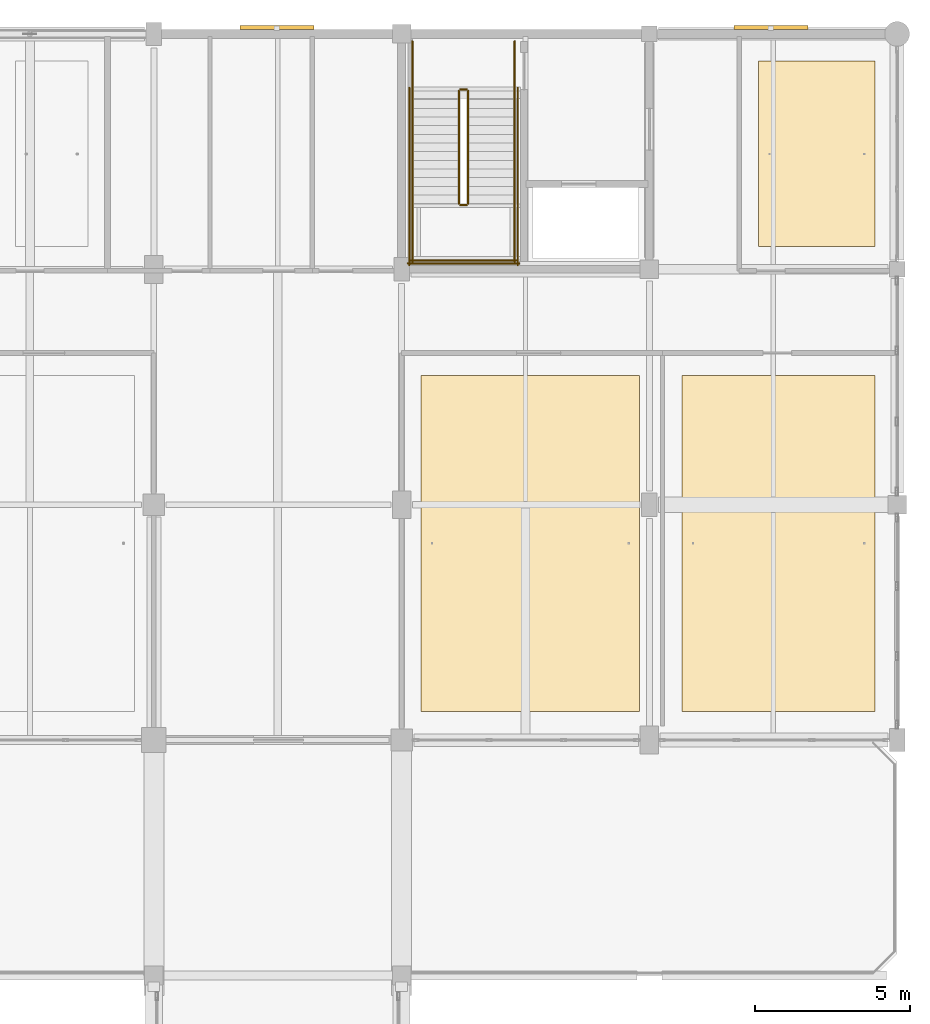
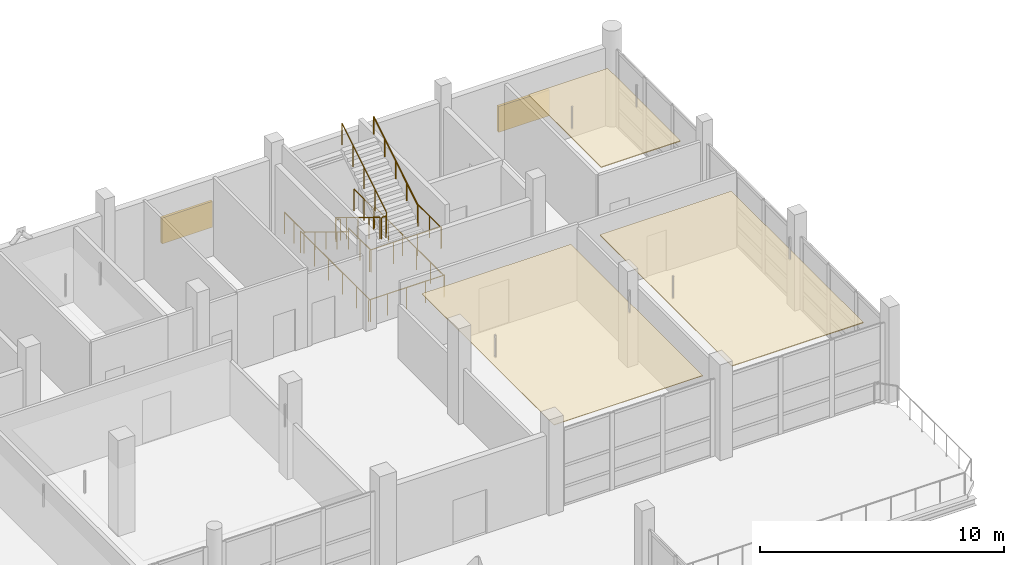
# One storey, part 141 of 141: 14 railings, 3 coverings, 2 shading devices.
"""IFC4 building model written with IfcOpenShell, lengths in metres."""

from ifc_helpers import new_model, si_unit, direction, frame, origin, origin_2d, place, context, subcontext, project, spatial, polyline, rectangle, circle, outline, extrude, material, layer, layer_set, type_object, element, save


model = new_model("IFC4")

# Units and contexts
model_context = context("Model", 3, precision=1e-05, world=origin(), true_north=direction((0.0, 1.0)))
body_context = subcontext(model_context, "Body", "Model", "MODEL_VIEW")
ifc_project = project(units=[si_unit("LENGTHUNIT", "METRE"), si_unit("AREAUNIT", "SQUARE_METRE"), si_unit("VOLUMEUNIT", "CUBIC_METRE"), si_unit("PLANEANGLEUNIT", "RADIAN"), si_unit("MASSUNIT", "GRAM", prefix="KILO")], contexts=[model_context])

# Site, building, storey
site_placement = place(None, origin())
site = spatial("IfcSite", under=ifc_project, at=site_placement, CompositionType="ELEMENT")
building_placement = place(site_placement, origin())
building = spatial("IfcBuilding", under=site, at=building_placement, Name="Khelvaren Railside Concert Hall", CompositionType="ELEMENT")
storey_placement = place(building_placement, frame((0.0, 0.0, 10.199951171875)))
storey = spatial("IfcBuildingStorey", under=building, at=storey_placement, Name="L02", CompositionType="ELEMENT", Elevation=10.199951171875)

# Coverings
ifc_material_1 = material(Name="Mineral-wool acoustic baffle ceiling", Category="gypsum")
ifc_layer_1 = layer(ifc_material_1, 0.0400390625)
ifc_layer_set_1 = layer_set([ifc_layer_1], Name="Mineral-wool acoustic baffle ceiling")
covering_type_1 = type_object("IfcCoveringType", Name="CLG20", PredefinedType="CEILING", material=ifc_layer_set_1)
covering_1_placement = place(storey_placement, frame((0.0, 0.0, 3.41015625)))
element("IfcCovering", 1, at=covering_1_placement, inside=storey, type_object=covering_type_1, Name="Suspended Acoustic Ceiling Musician Physiotherapy and Rest Room", PredefinedType="CEILING", context=body_context, shape_type="SweptSolid", body=[
    extrude(outline(polyline([(177.05810546875, 92.1298828125), (183.2900390625, 92.1298828125), (183.2900390625, 102.969970703125), (177.05810546875, 102.969970703125), (177.05810546875, 92.1298828125)])), origin(), (0.0, 0.0, 1.0), 0.039794921875),
])
covering_2_placement = place(storey_placement, frame((0.0, 0.0, 3.41015625)))
element("IfcCovering", 2, at=covering_2_placement, inside=storey, type_object=covering_type_1, Name="Suspended Acoustic Ceiling Ensemble Coaching Suite L02", PredefinedType="CEILING", context=body_context, shape_type="SweptSolid", body=[
    extrude(outline(polyline([(179.530029296875, 107.1298828125), (183.2900390625, 107.1298828125), (183.2900390625, 113.1201171875), (179.530029296875, 113.1201171875), (179.530029296875, 107.1298828125)])), origin(), (0.0, 0.0, 1.0), 0.039794921875),
])
ifc_material_2 = material(Name="Micro-perforated timber acoustic ceiling", Category="wood")
ifc_layer_2 = layer(ifc_material_2, 0.030029296875)
ifc_layer_set_2 = layer_set([ifc_layer_2], Name="Micro-perforated timber acoustic ceiling")
covering_type_2 = type_object("IfcCoveringType", Name="CLG77", PredefinedType="CEILING", material=ifc_layer_set_2)
covering_3_placement = place(storey_placement, frame((0.0, 0.0, 3.420166015625)))
element("IfcCovering", 3, at=covering_3_placement, inside=storey, type_object=covering_type_2, Name="Suspended Acoustic Ceiling Visiting Orchestra Dressing Room", PredefinedType="CEILING", context=body_context, shape_type="SweptSolid", body=[
    extrude(outline(polyline([(168.6298828125, 92.1298828125), (175.68505859375, 92.1298828125), (175.68505859375, 102.969970703125), (168.6298828125, 102.969970703125), (168.6298828125, 92.1298828125)])), origin(), (0.0, 0.0, 1.0), 0.02978515625),
])

# Railings
ifc_material_3 = material(Name="Painted architectural steel", Category="steel")
railing_type_1 = type_object("IfcRailingType", Name="GRD86", PredefinedType="GUARDRAIL", material=ifc_material_3)
railing_1_placement = place(storey_placement, frame((169.85009765625, 112.159912109375, 0.17138671875)))
element("IfcRailing", 4, at=railing_1_placement, inside=storey, type_object=railing_type_1, Name="L02 ST-10 stair guard 1", PredefinedType="GUARDRAIL", context=body_context, shape_type="SweptSolid", body=[
    extrude(circle(Radius=0.02392578125, at=origin_2d()), frame((0.0, 0.0, 1.076171875), z_axis=(0.0, -0.852824790078, 0.522197163366), x_axis=(1.0, 0.0, 0.0)), (0.0, 0.0, 1.0), 4.26806640625),
    extrude(circle(Radius=0.02099609375, at=origin_2d()), origin(), (0.0, 0.0, 1.0), 1.052001953125),
    extrude(circle(Radius=0.02099609375, at=origin_2d()), frame((0.0, -0.909912109375, 0.55712890625)), (0.0, 0.0, 1.0), 1.052001953125),
    extrude(circle(Radius=0.02099609375, at=origin_2d()), frame((0.0, -1.81982421875, 1.1142578125)), (0.0, 0.0, 1.0), 1.052001953125),
    extrude(circle(Radius=0.02099609375, at=origin_2d()), frame((0.0, -2.72998046875, 1.671630859375)), (0.0, 0.0, 1.0), 1.052001953125),
    extrude(circle(Radius=0.02099609375, at=origin_2d()), frame((0.0, -3.639892578125, 2.228759765625)), (0.0, 0.0, 1.0), 1.052001953125),
])
railing_2_placement = place(storey_placement, frame((169.89990234375, 108.469970703125, 2.400146484375)))
element("IfcRailing", 5, at=railing_2_placement, inside=storey, type_object=railing_type_1, Name="L02 ST-10 stair guard 2", PredefinedType="GUARDRAIL", context=body_context, shape_type="SweptSolid", body=[
    extrude(circle(Radius=0.02392578125, at=origin_2d()), frame((0.0, 0.0, 1.076171875), z_axis=(1.0, 0.0, 0.0), x_axis=(0.0, 1.0, 0.0)), (0.0, 0.0, 1.0), 0.2001953125),
    extrude(circle(Radius=0.02099609375, at=origin_2d()), origin(), (0.0, 0.0, 1.0), 1.052001953125),
    extrude(circle(Radius=0.02099609375, at=origin_2d()), frame((0.2001953125, 0.0, 0.0)), (0.0, 0.0, 1.0), 1.052001953125),
])
for number, where, name in (
    (6, (168.35009765625, 108.52001953125, 2.400146484375), "L02 ST-10 stair guard 3"),
    (7, (171.64990234375, 108.52001953125, 2.400146484375), "L02 ST-10 stair guard 4"),
):
    element("IfcRailing", number, at=place(storey_placement, frame(where)), inside=storey, type_object=railing_type_1, Name=name, PredefinedType="GUARDRAIL", context=body_context, shape_type="SweptSolid", body=[
        extrude(circle(Radius=0.02392578125, at=origin_2d()), frame((0.0, 0.0, 1.076171875), z_axis=(0.0, -1.0, 0.0), x_axis=(1.0, 0.0, 0.0)), (0.0, 0.0, 1.0), 1.880126953125),
        extrude(circle(Radius=0.02099609375, at=origin_2d()), origin(), (0.0, 0.0, 1.0), 1.052001953125),
        extrude(circle(Radius=0.02099609375, at=origin_2d()), frame((0.0, -0.93994140625, 0.0)), (0.0, 0.0, 1.0), 1.052001953125),
        extrude(circle(Radius=0.02099609375, at=origin_2d()), frame((0.0, -1.880126953125, 0.0)), (0.0, 0.0, 1.0), 1.052001953125),
    ])
railing_3_placement = place(storey_placement, frame((168.300048828125, 106.68994140625, 2.400146484375)))
element("IfcRailing", 8, at=railing_3_placement, inside=storey, type_object=railing_type_1, Name="L02 ST-10 stair guard 5", PredefinedType="GUARDRAIL", context=body_context, shape_type="SweptSolid", body=[
    extrude(circle(Radius=0.02392578125, at=origin_2d()), frame((0.0, 0.0, 1.076171875), z_axis=(1.0, 0.0, 0.0), x_axis=(0.0, 1.0, 0.0)), (0.0, 0.0, 1.0), 3.39990234375),
    extrude(circle(Radius=0.02099609375, at=origin_2d()), origin(), (0.0, 0.0, 1.0), 1.052001953125),
    extrude(circle(Radius=0.02099609375, at=origin_2d()), frame((1.13330078125, 0.0, 0.0)), (0.0, 0.0, 1.0), 1.052001953125),
    extrude(circle(Radius=0.02099609375, at=origin_2d()), frame((2.2666015625, 0.0, 0.0)), (0.0, 0.0, 1.0), 1.052001953125),
    extrude(circle(Radius=0.02099609375, at=origin_2d()), frame((3.39990234375, 0.0, 0.0)), (0.0, 0.0, 1.0), 1.052001953125),
])
railing_4_placement = place(storey_placement, frame((170.14990234375, 108.52001953125, 2.571533203125)))
element("IfcRailing", 9, at=railing_4_placement, inside=storey, type_object=railing_type_1, Name="L02 ST-10 stair guard 6", PredefinedType="GUARDRAIL", context=body_context, shape_type="SweptSolid", body=[
    extrude(circle(Radius=0.02392578125, at=origin_2d()), frame((0.0, 0.0, 1.076171875), z_axis=(0.0, 0.852850264322, 0.5221555579), x_axis=(-1.0, 0.0, 0.0)), (0.0, 0.0, 1.0), 4.267822265625),
    extrude(circle(Radius=0.02099609375, at=origin_2d()), origin(), (0.0, 0.0, 1.0), 1.052001953125),
    extrude(circle(Radius=0.02099609375, at=origin_2d()), frame((0.0, 0.909912109375, 0.55712890625)), (0.0, 0.0, 1.0), 1.052001953125),
    extrude(circle(Radius=0.02099609375, at=origin_2d()), frame((0.0, 1.81982421875, 1.1142578125)), (0.0, 0.0, 1.0), 1.052001953125),
    extrude(circle(Radius=0.02099609375, at=origin_2d()), frame((0.0, 2.72998046875, 1.67138671875)), (0.0, 0.0, 1.0), 1.052001953125),
    extrude(circle(Radius=0.02099609375, at=origin_2d()), frame((0.0, 3.639892578125, 2.228515625)), (0.0, 0.0, 1.0), 1.052001953125),
])
railing_5_placement = place(storey_placement, frame((169.89990234375, 112.2099609375, 0.0)))
element("IfcRailing", 10, at=railing_5_placement, inside=storey, type_object=railing_type_1, Name="L02 ST-10 stair guard 7", PredefinedType="GUARDRAIL", context=body_context, shape_type="SweptSolid", body=[
    extrude(circle(Radius=0.02392578125, at=origin_2d()), frame((0.0, 0.0, 1.076171875), z_axis=(1.0, 0.0, 0.0), x_axis=(0.0, 1.0, 0.0)), (0.0, 0.0, 1.0), 0.2001953125),
    extrude(circle(Radius=0.02099609375, at=origin_2d()), origin(), (0.0, 0.0, 1.0), 1.052001953125),
    extrude(circle(Radius=0.02099609375, at=origin_2d()), frame((0.2001953125, 0.0, 0.0)), (0.0, 0.0, 1.0), 1.052001953125),
])
for number, where, name in (
    (11, (168.35009765625, 113.760009765625, 0.0), "L02 ST-10 stair guard 8"),
    (12, (171.64990234375, 113.760009765625, 0.0), "L02 ST-10 stair guard 9"),
):
    element("IfcRailing", number, at=place(storey_placement, frame(where)), inside=storey, type_object=railing_type_1, Name=name, PredefinedType="GUARDRAIL", context=body_context, shape_type="SweptSolid", body=[
        extrude(circle(Radius=0.02392578125, at=origin_2d()), frame((0.0, 0.0, 1.076171875), z_axis=(0.0, -1.0, 0.0), x_axis=(1.0, 0.0, 0.0)), (0.0, 0.0, 1.0), 1.60009765625),
        extrude(circle(Radius=0.02099609375, at=origin_2d()), origin(), (0.0, 0.0, 1.0), 1.052001953125),
        extrude(circle(Radius=0.02099609375, at=origin_2d()), frame((0.0, -0.800048828125, 0.0)), (0.0, 0.0, 1.0), 1.052001953125),
        extrude(circle(Radius=0.02099609375, at=origin_2d()), frame((0.0, -1.60009765625, 0.0)), (0.0, 0.0, 1.0), 1.052001953125),
    ])
for number, where, name in (
    (13, (168.25, 112.260009765625, 0.0), "L02 ST-10 stair guard 10"),
    (14, (171.75, 112.260009765625, 0.0), "L02 ST-10 stair guard 11"),
):
    element("IfcRailing", number, at=place(storey_placement, frame(where)), inside=storey, type_object=railing_type_1, Name=name, PredefinedType="GUARDRAIL", context=body_context, shape_type="SweptSolid", body=[
        extrude(circle(Radius=0.02392578125, at=origin_2d()), frame((0.0, 0.0, 1.076171875), z_axis=(0.0, -1.0, 0.0), x_axis=(1.0, 0.0, 0.0)), (0.0, 0.0, 1.0), 5.719970703125),
        extrude(circle(Radius=0.02099609375, at=origin_2d()), origin(), (0.0, 0.0, 1.0), 1.052001953125),
        extrude(circle(Radius=0.02099609375, at=origin_2d()), frame((0.0, -1.14404296875, 0.0)), (0.0, 0.0, 1.0), 1.052001953125),
        extrude(circle(Radius=0.02099609375, at=origin_2d()), frame((0.0, -2.2880859375, 0.0)), (0.0, 0.0, 1.0), 1.052001953125),
        extrude(circle(Radius=0.02099609375, at=origin_2d()), frame((0.0, -3.431884765625, 0.0)), (0.0, 0.0, 1.0), 1.052001953125),
        extrude(circle(Radius=0.02099609375, at=origin_2d()), frame((0.0, -4.575927734375, 0.0)), (0.0, 0.0, 1.0), 1.052001953125),
        extrude(circle(Radius=0.02099609375, at=origin_2d()), frame((0.0, -5.719970703125, 0.0)), (0.0, 0.0, 1.0), 1.052001953125),
    ])
railing_6_placement = place(storey_placement, frame((168.199951171875, 106.590087890625, 0.0)))
element("IfcRailing", 15, at=railing_6_placement, inside=storey, type_object=railing_type_1, Name="L02 ST-10 stair guard 12", PredefinedType="GUARDRAIL", context=body_context, shape_type="SweptSolid", body=[
    extrude(circle(Radius=0.02392578125, at=origin_2d()), frame((0.0, 0.0, 1.076171875), z_axis=(1.0, 0.0, 0.0), x_axis=(0.0, 1.0, 0.0)), (0.0, 0.0, 1.0), 3.60009765625),
    extrude(circle(Radius=0.02099609375, at=origin_2d()), origin(), (0.0, 0.0, 1.0), 1.052001953125),
    extrude(circle(Radius=0.02099609375, at=origin_2d()), frame((0.89990234375, 0.0, 0.0)), (0.0, 0.0, 1.0), 1.052001953125),
    extrude(circle(Radius=0.02099609375, at=origin_2d()), frame((1.800048828125, 0.0, 0.0)), (0.0, 0.0, 1.0), 1.052001953125),
    extrude(circle(Radius=0.02099609375, at=origin_2d()), frame((2.7001953125, 0.0, 0.0)), (0.0, 0.0, 1.0), 1.052001953125),
    extrude(circle(Radius=0.02099609375, at=origin_2d()), frame((3.60009765625, 0.0, 0.0)), (0.0, 0.0, 1.0), 1.052001953125),
])
ifc_material_4 = material(Name="Brushed stainless steel Grade 316", Category="steel")
railing_type_2 = type_object("IfcRailingType", Name="HRL59", PredefinedType="HANDRAIL", material=ifc_material_4)
railing_7_placement = place(storey_placement, frame((168.35009765625, 112.159912109375, 0.17138671875)))
element("IfcRailing", 16, at=railing_7_placement, inside=storey, type_object=railing_type_2, Name="L02 ST-10 stair handrail 1", PredefinedType="HANDRAIL", context=body_context, shape_type="SweptSolid", body=[
    extrude(circle(Radius=0.02392578125, at=origin_2d()), frame((0.0, 0.0, 0.8759765625), z_axis=(0.0, -0.852824790078, 0.522197163366), x_axis=(1.0, 0.0, 0.0)), (0.0, 0.0, 1.0), 4.26806640625),
    extrude(circle(Radius=0.02099609375, at=origin_2d()), origin(), (0.0, 0.0, 1.0), 0.851806640625),
    extrude(circle(Radius=0.02099609375, at=origin_2d()), frame((0.0, -0.909912109375, 0.55712890625)), (0.0, 0.0, 1.0), 0.851806640625),
    extrude(circle(Radius=0.02099609375, at=origin_2d()), frame((0.0, -1.81982421875, 1.1142578125)), (0.0, 0.0, 1.0), 0.851806640625),
    extrude(circle(Radius=0.02099609375, at=origin_2d()), frame((0.0, -2.72998046875, 1.671630859375)), (0.0, 0.0, 1.0), 0.851806640625),
    extrude(circle(Radius=0.02099609375, at=origin_2d()), frame((0.0, -3.639892578125, 2.228759765625)), (0.0, 0.0, 1.0), 0.851806640625),
])
railing_8_placement = place(storey_placement, frame((171.64990234375, 108.52001953125, 2.571533203125)))
element("IfcRailing", 17, at=railing_8_placement, inside=storey, type_object=railing_type_2, Name="L02 ST-10 stair handrail 2", PredefinedType="HANDRAIL", context=body_context, shape_type="SweptSolid", body=[
    extrude(circle(Radius=0.02392578125, at=origin_2d()), frame((0.0, 0.0, 0.8759765625), z_axis=(0.0, 0.852850264322, 0.5221555579), x_axis=(-1.0, 0.0, 0.0)), (0.0, 0.0, 1.0), 4.267822265625),
    extrude(circle(Radius=0.02099609375, at=origin_2d()), origin(), (0.0, 0.0, 1.0), 0.851806640625),
    extrude(circle(Radius=0.02099609375, at=origin_2d()), frame((0.0, 0.909912109375, 0.55712890625)), (0.0, 0.0, 1.0), 0.851806640625),
    extrude(circle(Radius=0.02099609375, at=origin_2d()), frame((0.0, 1.81982421875, 1.1142578125)), (0.0, 0.0, 1.0), 0.851806640625),
    extrude(circle(Radius=0.02099609375, at=origin_2d()), frame((0.0, 2.72998046875, 1.67138671875)), (0.0, 0.0, 1.0), 0.851806640625),
    extrude(circle(Radius=0.02099609375, at=origin_2d()), frame((0.0, 3.639892578125, 2.228515625)), (0.0, 0.0, 1.0), 0.851806640625),
])

# Shading devices
ifc_material_5 = material(Name="Anodised bronze aluminium 6063-T6", Category="aluminium")
shading_device_type = type_object("IfcShadingDeviceType", Name="LVR71", PredefinedType="JALOUSIE", material=ifc_material_5)
for number, where, z_axis, x_axis, name in (
    (18, (163.97509765625, 114.2099609375, 1.2001953125), (0.0, 0.0, 1.0), (1.0, 0.0, 0.0), "Acoustic Weather Louvre EW-V5-L02-N-160"),
    (19, (179.925048828125, 114.2099609375, 1.2001953125), (0.0, 0.0, 1.0), (1.0, 0.0, 0.0), "Acoustic Weather Louvre EW-V5-L02-N-176"),
):
    element("IfcShadingDevice", number, at=place(storey_placement, frame(where, z_axis=z_axis, x_axis=x_axis)), inside=storey, type_object=shading_device_type, Name=name, PredefinedType="JALOUSIE", context=body_context, shape_type="SweptSolid", body=[
        extrude(rectangle(XDim=2.39990234375, YDim=0.1201171875, at=origin_2d()), origin(), (0.0, 0.0, 1.0), 1.300048828125),
    ])

save(model, "model.ifc")
